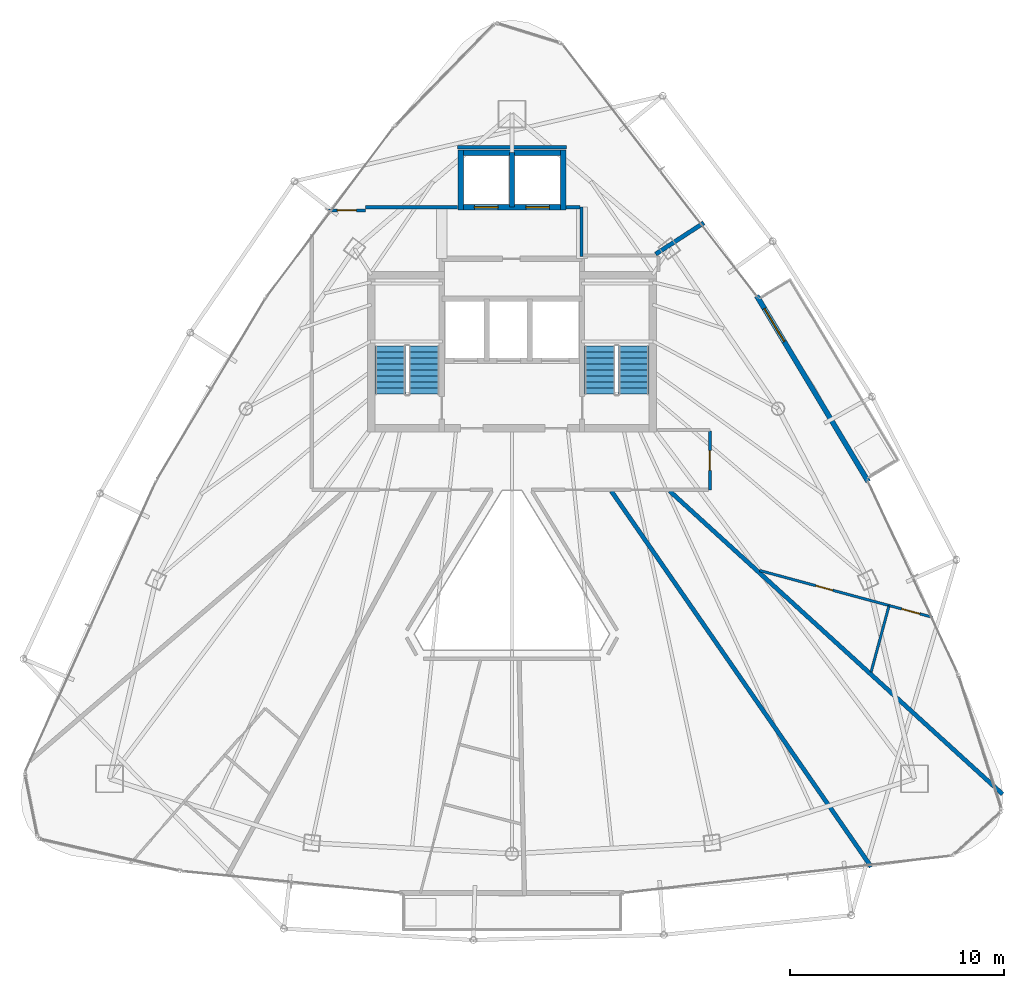
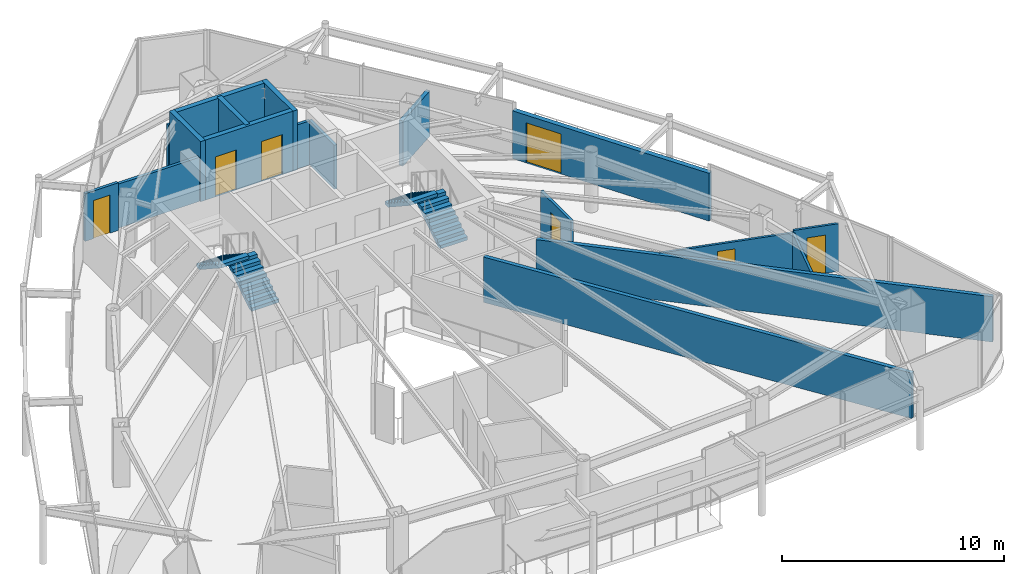
# One storey, part 27 of 30: 18 walls, 7 doors, 4 stair flights, 7 openings, 2 elements without a shape of their own.
"""IFC4 building model written with IfcOpenShell, lengths in metres."""

import ifcopenshell
import ifcopenshell.guid

model = None  # the IFC model being written
_history = None  # IfcOwnerHistory: only IFC2X3 demands one
_inside = {}  # id of a spatial element -> (the spatial element, [elements in it])
_under = {}  # id of a project, library or spatial element -> (it, [spatial elements below it])
_declared = {}  # id of a project -> (the project, [libraries it declares])
_typed = {}  # id of a type object -> (the type object, [elements of that type])
_made_of = {}  # id of a material, layer set ... -> (it, [elements and type objects made of it])


def new_model(schema):
    """Start an empty IFC model of exactly this schema.

    Asked for "IFC4X3", IfcOpenShell would pick the latest addendum, in which some entities
    have other attributes; the version numbers below select the first issue.
    IFC2X3 requires an IfcOwnerHistory on every rooted entity: one is made here for all.
    """
    global model, _history
    if schema == "IFC4X3":
        model = ifcopenshell.file(schema_version=(4, 3, 0, 0))
    else:
        model = ifcopenshell.file(schema=schema)
    _inside.clear()
    _under.clear()
    _declared.clear()
    _typed.clear()
    _made_of.clear()
    _history = None
    if model.schema == "IFC2X3":
        org = make("IfcOrganization", Name="unknown")
        user = make(
            "IfcPersonAndOrganization",
            ThePerson=make("IfcPerson", FamilyName="unknown"),
            TheOrganization=org,
        )
        app = make(
            "IfcApplication",
            ApplicationDeveloper=org,
            Version="unknown",
            ApplicationFullName="unknown",
            ApplicationIdentifier="unknown",
        )
        _history = make(
            "IfcOwnerHistory",
            OwningUser=user,
            OwningApplication=app,
            ChangeAction="ADDED",
            CreationDate=0,
        )
    return model


def make(cls, **values):
    """One entity of the class cls with the attributes given. An attribute that is None is left unset."""
    return model.create_entity(
        cls, **{name: value for name, value in values.items() if value is not None}
    )


def rooted(cls, **values):
    """An entity with a GlobalId (a new one), such as an element, a storey or a relation."""
    return make(cls, GlobalId=ifcopenshell.guid.new(), OwnerHistory=_history, **values)


def si_unit(unit_type, name, prefix=None):
    """IfcSIUnit, for example si_unit("LENGTHUNIT", "METRE", prefix="MILLI")."""
    return make("IfcSIUnit", UnitType=unit_type, Prefix=prefix, Name=name)


def assignment(units):
    """IfcUnitAssignment: the units of a project."""
    return None if units is None else make("IfcUnitAssignment", Units=units)


def point(xyz):
    """IfcCartesianPoint."""
    return None if xyz is None else make("IfcCartesianPoint", Coordinates=xyz)


def direction(xyz):
    """IfcDirection."""
    return None if xyz is None else make("IfcDirection", DirectionRatios=xyz)


def frame(location, z_axis=None, x_axis=None):
    """IfcAxis2Placement3D, a coordinate frame: its origin and axes. An axis left out is left unset."""
    return make(
        "IfcAxis2Placement3D",
        Location=point(location),
        Axis=direction(z_axis),
        RefDirection=direction(x_axis),
    )


def frame_2d(location, x_axis=None):
    """IfcAxis2Placement2D, a coordinate frame in the plane: its origin and x axis."""
    return make(
        "IfcAxis2Placement2D", Location=point(location), RefDirection=direction(x_axis)
    )


def origin():
    """The frame at (0, 0, 0) with its axes left unset."""
    return frame((0.0, 0.0, 0.0))


def place(relative_to, where):
    """IfcLocalPlacement: puts the frame where relative to a parent placement (None: the world)."""
    return make(
        "IfcLocalPlacement", PlacementRelTo=relative_to, RelativePlacement=where
    )


def context(
    kind, dimensions, precision=None, world=None, true_north=None, identifier=None
):
    """IfcGeometricRepresentationContext, for example the 3D "Model" context."""
    return make(
        "IfcGeometricRepresentationContext",
        ContextIdentifier=identifier,
        ContextType=kind,
        CoordinateSpaceDimension=dimensions,
        Precision=precision,
        WorldCoordinateSystem=world,
        TrueNorth=true_north,
    )


def subcontext(parent, identifier, kind, view, scale=None):
    """IfcGeometricRepresentationSubContext, for example "Body" below "Model"."""
    return make(
        "IfcGeometricRepresentationSubContext",
        ContextIdentifier=identifier,
        ContextType=kind,
        ParentContext=parent,
        TargetScale=scale,
        TargetView=view,
    )


def project(units=None, contexts=None):
    """IfcProject with its units and contexts."""
    return rooted(
        "IfcProject",
        Name="project",
        RepresentationContexts=contexts,
        UnitsInContext=assignment(units),
    )


def spatial(cls, under=None, at=None, **own):
    """A site, building, storey or space (cls), placed at a placement, below another one or the project."""
    s = rooted(cls, ObjectPlacement=at, **own)
    if under is not None:
        _under.setdefault(under.id(), (under, []))[1].append(s)
    return s


def polyline(points):
    """IfcPolyline through the points."""
    return make("IfcPolyline", Points=[point(p) for p in points])


def profile(cls, at=None, kind="AREA", **sizes):
    """A parametric profile (cls). Its sizes go by their IFC names, for example OverallWidth=200.0."""
    return make(cls, ProfileType=kind, Position=at, **sizes)


def rectangle(**sizes):
    """IfcRectangleProfileDef."""
    return profile("IfcRectangleProfileDef", **sizes)


def outline(outer, holes=None, kind="AREA"):
    """IfcArbitraryClosedProfileDef: a profile drawn as a closed curve; with holes, ...WithVoids."""
    if holes is None:
        return make("IfcArbitraryClosedProfileDef", ProfileType=kind, OuterCurve=outer)
    return make(
        "IfcArbitraryProfileDefWithVoids",
        ProfileType=kind,
        OuterCurve=outer,
        InnerCurves=holes,
    )


def extrude(swept, where, along, depth):
    """IfcExtrudedAreaSolid: the profile swept, set in the frame where, extruded along a direction by depth."""
    return make(
        "IfcExtrudedAreaSolid",
        SweptArea=swept,
        Position=where,
        ExtrudedDirection=direction(along),
        Depth=depth,
    )


def shape(context_of_items, identifier, shape_type, items):
    """IfcShapeRepresentation: the items that make up one representation, for example the "Body"."""
    return make(
        "IfcShapeRepresentation",
        ContextOfItems=context_of_items,
        RepresentationIdentifier=identifier,
        RepresentationType=shape_type,
        Items=items,
    )


def material(Name=None, Category=None):
    """IfcMaterial."""
    return make("IfcMaterial", Name=Name, Category=Category)


def layer(
    of_material, thickness, ventilated=None, Name=None, Category=None, Priority=None
):
    """IfcMaterialLayer: one layer of a wall or slab, of a material (None: an air gap)."""
    return make(
        "IfcMaterialLayer",
        Material=of_material,
        LayerThickness=thickness,
        IsVentilated=ventilated,
        Name=Name,
        Category=Category,
        Priority=Priority,
    )


def layer_set(layers, Name=None):
    """IfcMaterialLayerSet."""
    return make("IfcMaterialLayerSet", MaterialLayers=layers, LayerSetName=Name)


def made_of(thing, what):
    """Note that an element or type object is made of a material, layer set ...; save() writes the relation."""
    if what is not None:
        _made_of.setdefault(what.id(), (what, []))[1].append(thing)
    return thing


def type_object(cls, material=None, **own):
    """A type object (cls), such as IfcWallType, which elements share."""
    return made_of(rooted(cls, **own), material)


def element(
    cls,
    number,
    at=None,
    inside=None,
    cuts=None,
    type_object=None,
    material=None,
    context=None,
    identifier="Body",
    shape_type=None,
    held_by="IfcProductDefinitionShape",
    body=None,
    shapes=None,
    **own,
):
    """One element of the class cls, such as IfcWall. Its Tag is "e" and its number.

    at: its placement. inside: the storey or other place that contains it. cuts: it is an
    opening in that element (IfcRelVoidsElement). A single representation is given by context,
    identifier, shape_type and body (its items); several are given by shapes. held_by: the class
    of the entity that holds the representations. save() writes the other relations.
    """
    e = rooted(cls, Tag="e%d" % number, ObjectPlacement=at, **own)
    if body is not None:
        shapes = [shape(context, identifier, shape_type, body)]
    if shapes is not None:
        e.Representation = make(held_by, Representations=shapes)
    if inside is not None:
        _inside.setdefault(inside.id(), (inside, []))[1].append(e)
    if cuts is not None:
        rooted(
            "IfcRelVoidsElement", RelatingBuildingElement=cuts, RelatedOpeningElement=e
        )
    if type_object is not None:
        _typed.setdefault(type_object.id(), (type_object, []))[1].append(e)
    return made_of(e, material)


def fill(opening, filler):
    """IfcRelFillsElement: the door or window that sits in an opening."""
    return rooted(
        "IfcRelFillsElement",
        RelatingOpeningElement=opening,
        RelatedBuildingElement=filler,
    )


def aggregate(whole, parts):
    """IfcRelAggregates: a whole, such as a stair, and the parts it consists of."""
    return rooted("IfcRelAggregates", RelatingObject=whole, RelatedObjects=parts)


def save(model, path):
    """Write the relations noted so far, then the file.

    IfcRelAggregates (storeys below a building ...), IfcRelContainedInSpatialStructure (elements
    in a storey), IfcRelDefinesByType, IfcRelAssociatesMaterial and IfcRelDeclares: one each for
    every whole, place, type object, material and project.
    """
    for whole, parts in _under.values():
        aggregate(whole, parts)
    for where, things in _inside.values():
        rooted(
            "IfcRelContainedInSpatialStructure",
            RelatedElements=things,
            RelatingStructure=where,
        )
    for kind, things in _typed.values():
        rooted("IfcRelDefinesByType", RelatedObjects=things, RelatingType=kind)
    for what, things in _made_of.values():
        rooted("IfcRelAssociatesMaterial", RelatedObjects=things, RelatingMaterial=what)
    for by, libraries in _declared.values():
        rooted("IfcRelDeclares", RelatingContext=by, RelatedDefinitions=libraries)
    model.write(path)


model = new_model("IFC4")

# Units and contexts
model_context = context("Model", 3, precision=1e-05, world=origin(), true_north=direction((0.0, 1.0)))
body_context = subcontext(model_context, "Body", "Model", "MODEL_VIEW")
ifc_project = project(units=[si_unit("LENGTHUNIT", "METRE"), si_unit("AREAUNIT", "SQUARE_METRE"), si_unit("VOLUMEUNIT", "CUBIC_METRE"), si_unit("PLANEANGLEUNIT", "RADIAN"), si_unit("MASSUNIT", "GRAM", prefix="KILO")], contexts=[model_context])

# Site, building, storey
site_placement = place(None, origin())
site = spatial("IfcSite", under=ifc_project, at=site_placement, CompositionType="ELEMENT")
building_placement = place(site_placement, origin())
building = spatial("IfcBuilding", under=site, at=building_placement, Name="Orvanel Arch Residences", CompositionType="ELEMENT")
storey_placement = place(building_placement, frame((0.0, 0.0, 226.10009765625)))
storey = spatial("IfcBuildingStorey", under=building, at=storey_placement, Name="L64", CompositionType="ELEMENT", Elevation=226.10009765625)

# Wall, opening, door
ifc_material_1 = material(Name="Precast concrete N50 (50 MPa)", Category="concrete")
ifc_layer_1 = layer(ifc_material_1, 0.239990234375)
ifc_layer_set_1 = layer_set([ifc_layer_1], Name="Precast concrete N50 (50 MPa)")
wall_type_1 = type_object("IfcWallType", Name="EW-BAL-240", PredefinedType="SOLIDWALL", material=ifc_layer_set_1)
wall_1_placement = place(storey_placement, frame((49.64794921875, 24.22412109375, 0.0), z_axis=(0.0, 0.0, 1.0), x_axis=(-0.514346935205, 0.857582200285, 0.0)))
wall_1 = element("IfcWall", 1, at=wall_1_placement, inside=storey, type_object=wall_type_1, Name="L64 Balcony Threshold Wall Face 3", PredefinedType="SOLIDWALL", context=body_context, shape_type="SweptSolid", body=[
    extrude(rectangle(XDim=10.133056640625, YDim=0.239990234375, at=frame_2d((5.06640625, 0.0))), origin(), (0.0, 0.0, 1.0), 2.6240234375),
])
opening_1_placement = place(wall_1_placement, frame((7.635009765625, 0.0, 0.0)))
opening_1 = element("IfcOpeningElement", 2, at=opening_1_placement, cuts=wall_1, Name="Opening DB-180", PredefinedType="OPENING", context=body_context, shape_type="SweptSolid", body=[
    extrude(rectangle(XDim=1.800048828125, YDim=2.199951171875, at=frame_2d((0.89990234375, 1.10009765625))), frame((0.0, 0.1298828125, 0.0), z_axis=(0.0, -1.0, 0.0), x_axis=(1.0, 0.0, 0.0)), (0.0, 0.0, 1.0), 0.260009765625),
])
ifc_material_2 = material(Name="Bronze-anodised aluminium AA6063-T6", Category="aluminium")
door_type_1 = type_object("IfcDoorType", Name="DR-BAL-1800", OperationType="NOTDEFINED", PredefinedType="DOOR", material=ifc_material_2)
door_1_placement = place(opening_1_placement, origin())
door_1 = element("IfcDoor", 3, at=door_1_placement, inside=storey, type_object=door_type_1, Name="DR-L64-BAL-F3 L64 Planted Balcony Access Door Face 3", OperationType="SINGLE_SWING_LEFT", OverallHeight=2.199951171875, OverallWidth=1.800048828125, PredefinedType="DOOR", context=body_context, shape_type="SweptSolid", body=[
    extrude(rectangle(XDim=1.800048828125, YDim=2.199951171875, at=frame_2d((0.89990234375, 1.10009765625))), frame((0.0, 0.02490234375, 0.0), z_axis=(0.0, -1.0, 0.0), x_axis=(1.0, 0.0, 0.0)), (0.0, 0.0, 1.0), 0.050048828125),
])
fill(opening_1, door_1)

# Wall, openings, doors
ifc_material_3 = material(Name="Concrete N50 (50 MPa)", Category="concrete")
ifc_layer_2 = layer(ifc_material_3, 0.25)
ifc_layer_set_2 = layer_set([ifc_layer_2], Name="Concrete N50 (50 MPa)")
wall_type_2 = type_object("IfcWallType", Name="SW-CORE-250", PredefinedType="SHEAR", material=ifc_layer_set_2)
wall_2_placement = place(storey_placement, frame((35.52490234375, 37.050048828125, 0.0), z_axis=(0.0, 0.0, 1.0), x_axis=(-1.0, 0.0, 0.0)))
wall_2 = element("IfcWall", 4, at=wall_2_placement, inside=storey, type_object=wall_type_2, Name="L64 Passenger Lift Bank Front Shear Wall", PredefinedType="SHEAR", context=body_context, shape_type="SweptSolid", body=[
    extrude(rectangle(XDim=5.0498046875, YDim=0.25, at=frame_2d((2.52490234375, 0.0))), origin(), (0.0, 0.0, 1.0), 3.2998046875),
])
opening_2_placement = place(wall_2_placement, frame((3.175048828125, 0.0, 0.0)))
opening_2 = element("IfcOpeningElement", 5, at=opening_2_placement, cuts=wall_2, Name="Opening LD-110", PredefinedType="OPENING", context=body_context, shape_type="SweptSolid", body=[
    extrude(rectangle(XDim=1.10009765625, YDim=2.199951171875, at=frame_2d((0.550048828125, 1.10009765625))), frame((0.0, 0.135009765625, 0.0), z_axis=(0.0, -1.0, 0.0), x_axis=(1.0, 0.0, 0.0)), (0.0, 0.0, 1.0), 0.27001953125),
])
opening_3_placement = place(wall_2_placement, frame((0.77490234375, 0.0, 0.0)))
opening_3 = element("IfcOpeningElement", 6, at=opening_3_placement, cuts=wall_2, Name="Opening LD-110", PredefinedType="OPENING", context=body_context, shape_type="SweptSolid", body=[
    extrude(rectangle(XDim=1.10009765625, YDim=2.199951171875, at=frame_2d((0.550048828125, 1.10009765625))), frame((0.0, 0.135009765625, 0.0), z_axis=(0.0, -1.0, 0.0), x_axis=(1.0, 0.0, 0.0)), (0.0, 0.0, 1.0), 0.27001953125),
])
ifc_material_4 = material(Name="Galvanised steel fire-resisting door assembly", Category="steel")
door_type_2 = type_object("IfcDoorType", Name="DR-LFT-1100", OperationType="NOTDEFINED", PredefinedType="DOOR", material=ifc_material_4)
door_2_placement = place(opening_2_placement, origin())
door_2 = element("IfcDoor", 7, at=door_2_placement, inside=storey, type_object=door_type_2, Name="LD-P5-L64 L64 Passenger Lift P5 Sliding Landing Door", OperationType="DOUBLE_DOOR_SLIDING", OverallHeight=2.199951171875, OverallWidth=1.10009765625, PredefinedType="DOOR", context=body_context, shape_type="SweptSolid", body=[
    extrude(rectangle(XDim=1.10009765625, YDim=2.199951171875, at=frame_2d((0.550048828125, 1.10009765625))), frame((0.0, 0.02490234375, 0.0), z_axis=(0.0, -1.0, 0.0), x_axis=(1.0, 0.0, 0.0)), (0.0, 0.0, 1.0), 0.050048828125),
])
fill(opening_2, door_2)
door_3_placement = place(opening_3_placement, origin())
door_3 = element("IfcDoor", 8, at=door_3_placement, inside=storey, type_object=door_type_2, Name="LD-P6-L64 L64 Passenger Lift P6 Sliding Landing Door", OperationType="DOUBLE_DOOR_SLIDING", OverallHeight=2.199951171875, OverallWidth=1.10009765625, PredefinedType="DOOR", context=body_context, shape_type="SweptSolid", body=[
    extrude(rectangle(XDim=1.10009765625, YDim=2.199951171875, at=frame_2d((0.550048828125, 1.10009765625))), frame((0.0, 0.02490234375, 0.0), z_axis=(0.0, -1.0, 0.0), x_axis=(1.0, 0.0, 0.0)), (0.0, 0.0, 1.0), 0.050048828125),
])
fill(opening_3, door_3)

# Walls
wall_3_placement = place(storey_placement, frame((30.47509765625, 39.60009765625, 0.0), z_axis=(0.0, 0.0, 1.0), x_axis=(1.0, 0.0, 0.0)))
element("IfcWall", 9, at=wall_3_placement, inside=storey, type_object=wall_type_2, Name="L64 Passenger Lift Bank North Shear Wall", PredefinedType="SHEAR", context=body_context, shape_type="SweptSolid", body=[
    extrude(rectangle(XDim=5.0498046875, YDim=0.25, at=frame_2d((2.52490234375, 0.0))), origin(), (0.0, 0.0, 1.0), 3.2998046875),
])
for number, where, z_axis, x_axis, name in (
    (10, (30.60009765625, 36.925048828125, 0.0), (0.0, 0.0, 1.0), (0.0, 1.0, 0.0), "L64 Passenger Lift Bank West Shear Wall"),
    (11, (35.39990234375, 36.925048828125, 0.0), (0.0, 0.0, 1.0), (0.0, 1.0, 0.0), "L64 Passenger Lift Bank East Shear Wall"),
):
    element("IfcWall", number, at=place(storey_placement, frame(where, z_axis=z_axis, x_axis=x_axis)), inside=storey, type_object=wall_type_2, Name=name, PredefinedType="SHEAR", context=body_context, shape_type="SweptSolid", body=[
        extrude(rectangle(XDim=2.800048828125, YDim=0.25, at=frame_2d((1.39990234375, 0.0))), origin(), (0.0, 0.0, 1.0), 3.2998046875),
    ])
wall_4_placement = place(storey_placement, frame((33.0, 37.050048828125, 0.0), z_axis=(0.0, 0.0, 1.0), x_axis=(0.0, 1.0, 0.0)))
element("IfcWall", 12, at=wall_4_placement, inside=storey, type_object=wall_type_2, Name="L64 Passenger Lift Inter-Shaft Wall P56", PredefinedType="SHEAR", context=body_context, shape_type="SweptSolid", body=[
    extrude(rectangle(XDim=2.550048828125, YDim=0.25, at=frame_2d((1.27490234375, 0.0))), origin(), (0.0, 0.0, 1.0), 3.2998046875),
])
ifc_material_5 = material(Name="Fire-rated plasterboard lined steel stud partition", Category="steel")
ifc_layer_3 = layer(ifc_material_5, 0.14990234375)
ifc_layer_set_3 = layer_set([ifc_layer_3], Name="Fire-rated plasterboard lined steel stud partition")
wall_type_3 = type_object("IfcWallType", Name="W-COR-150", PredefinedType="PARTITIONING", material=ifc_layer_set_3)
wall_5_placement = place(storey_placement, frame((36.25, 34.760009765625, 0.0), z_axis=(0.0, 0.0, 1.0), x_axis=(0.0, 1.0, 0.0)))
element("IfcWall", 13, at=wall_5_placement, inside=storey, type_object=wall_type_3, Name="L64 Passenger Lift Lobby East Closure Wall", PredefinedType="PARTITIONING", context=body_context, shape_type="SweptSolid", body=[
    extrude(rectangle(XDim=2.2900390625, YDim=0.14990234375, at=frame_2d((1.14501953125, 0.0))), origin(), (0.0, 0.0, 1.0), 2.4248046875),
])
wall_6_placement = place(storey_placement, frame((35.52490234375, 37.050048828125, 0.0), z_axis=(0.0, 0.0, 1.0), x_axis=(1.0, 0.0, 0.0)))
element("IfcWall", 14, at=wall_6_placement, inside=storey, type_object=wall_type_3, Name="L64 Passenger Lift Lobby North-East Wall", PredefinedType="PARTITIONING", context=body_context, shape_type="SweptSolid", body=[
    extrude(rectangle(XDim=0.6650390625, YDim=0.14990234375, at=frame_2d((0.33251953125, 0.0))), origin(), (0.0, 0.0, 1.0), 2.4248046875),
])

# Wall, opening, door
wall_7_placement = place(storey_placement, frame((24.427001953125, 36.89990234375, 0.0), z_axis=(0.0, 0.0, 1.0), x_axis=(1.0, 0.0, 0.0)))
wall_7 = element("IfcWall", 15, at=wall_7_placement, inside=storey, type_object=wall_type_3, Name="L64 Corridor Fire-Rated Partition", PredefinedType="PARTITIONING", context=body_context, shape_type="SweptSolid", body=[
    extrude(rectangle(XDim=1.722900390625, YDim=0.14990234375, at=frame_2d((0.861328125, 0.0))), origin(), (0.0, 0.0, 1.0), 2.618896484375),
])
opening_4_placement = place(wall_7_placement, frame((0.4208984375, 0.0, 0.0)))
opening_4 = element("IfcOpeningElement", 16, at=opening_4_placement, cuts=wall_7, Name="Opening DI-088", PredefinedType="OPENING", context=body_context, shape_type="SweptSolid", body=[
    extrude(rectangle(XDim=0.8798828125, YDim=2.10009765625, at=frame_2d((0.43994140625, 1.050048828125))), frame((0.0, 0.0849609375, 0.0), z_axis=(0.0, -1.0, 0.0), x_axis=(1.0, 0.0, 0.0)), (0.0, 0.0, 1.0), 0.169921875),
])
ifc_material_6 = material(Name="Solid-core European oak veneer fire door leaf", Category="wood")
door_type_3 = type_object("IfcDoorType", Name="DR-INT-880", OperationType="NOTDEFINED", PredefinedType="DOOR", material=ifc_material_6)
door_4_placement = place(opening_4_placement, origin())
door_4 = element("IfcDoor", 17, at=door_4_placement, inside=storey, type_object=door_type_3, Name="DR-L64-SHRD-FB7 L64 Co-Working Study Office G Door", OperationType="SINGLE_SWING_LEFT", OverallHeight=2.10009765625, OverallWidth=0.8798828125, PredefinedType="DOOR", context=body_context, shape_type="SweptSolid", body=[
    extrude(rectangle(XDim=0.8798828125, YDim=2.10009765625, at=frame_2d((0.43994140625, 1.050048828125))), frame((0.0, 0.02490234375, 0.0), z_axis=(0.0, -1.0, 0.0), x_axis=(1.0, 0.0, 0.0)), (0.0, 0.0, 1.0), 0.050048828125),
])
fill(opening_4, door_4)

wall_8_placement = place(storey_placement, frame((42.25, 26.590087890625, 0.0), z_axis=(0.0, 0.0, 1.0), x_axis=(0.0, -1.0, 0.0)))
wall_8 = element("IfcWall", 18, at=wall_8_placement, inside=storey, type_object=wall_type_3, Name="L64 Corridor Fire-Rated Partition", PredefinedType="PARTITIONING", context=body_context, shape_type="SweptSolid", body=[
    extrude(rectangle(XDim=2.739990234375, YDim=0.14990234375, at=frame_2d((1.3701171875, 0.0))), origin(), (0.0, 0.0, 1.0), 2.77294921875),
])
opening_5_placement = place(wall_8_placement, frame((0.909912109375, 0.0, 0.0)))
opening_5 = element("IfcOpeningElement", 19, at=opening_5_placement, cuts=wall_8, Name="Opening DA-092", PredefinedType="OPENING", context=body_context, shape_type="SweptSolid", body=[
    extrude(rectangle(XDim=0.919921875, YDim=2.14990234375, at=frame_2d((0.4599609375, 1.074951171875))), frame((0.0, 0.0849609375, 0.0), z_axis=(0.0, -1.0, 0.0), x_axis=(1.0, 0.0, 0.0)), (0.0, 0.0, 1.0), 0.169921875),
])
door_type_4 = type_object("IfcDoorType", Name="DR-APT-920", OperationType="NOTDEFINED", PredefinedType="DOOR", material=ifc_material_6)
door_5_placement = place(opening_5_placement, origin())
door_5 = element("IfcDoor", 20, at=door_5_placement, inside=storey, type_object=door_type_4, Name="DR-L64-C-ENT L64 Studio C Entrance Door", OperationType="SINGLE_SWING_RIGHT", OverallHeight=2.14990234375, OverallWidth=0.919921875, PredefinedType="DOOR", context=body_context, shape_type="SweptSolid", body=[
    extrude(rectangle(XDim=0.919921875, YDim=2.14990234375, at=frame_2d((0.4599609375, 1.074951171875))), frame((0.0, 0.02490234375, 0.0), z_axis=(0.0, -1.0, 0.0), x_axis=(1.0, 0.0, 0.0)), (0.0, 0.0, 1.0), 0.050048828125),
])
fill(opening_5, door_5)

# Walls
wall_9_placement = place(storey_placement, frame((26.14990234375, 37.050048828125, 0.0), z_axis=(0.0, 0.0, 1.0), x_axis=(1.0, 0.0, 0.0)))
element("IfcWall", 21, at=wall_9_placement, inside=storey, type_object=wall_type_3, Name="L64 Core Perimeter Partition", PredefinedType="PARTITIONING", context=body_context, shape_type="SweptSolid", body=[
    extrude(rectangle(XDim=4.300048828125, YDim=0.14990234375, at=frame_2d((2.14990234375, 0.0))), origin(), (0.0, 0.0, 1.0), 2.4248046875),
])
wall_10_placement = place(storey_placement, frame((30.449951171875, 39.85009765625, 0.0), z_axis=(0.0, 0.0, 1.0), x_axis=(1.0, 0.0, 0.0)))
element("IfcWall", 22, at=wall_10_placement, inside=storey, type_object=wall_type_3, Name="L64 Core Perimeter Partition", PredefinedType="PARTITIONING", context=body_context, shape_type="SweptSolid", body=[
    extrude(rectangle(XDim=5.10009765625, YDim=0.14990234375, at=frame_2d((2.550048828125, 0.0))), origin(), (0.0, 0.0, 1.0), 2.491943359375),
])
ifc_layer_4 = layer(ifc_material_5, 0.199951171875)
ifc_layer_set_4 = layer_set([ifc_layer_4], Name="Fire-rated plasterboard lined steel stud partition")
wall_type_4 = type_object("IfcWallType", Name="W-DEM-200", PredefinedType="PARTITIONING", material=ifc_layer_set_4)
wall_11_placement = place(storey_placement, frame((37.64111328125, 23.7900390625, 0.0), z_axis=(0.0, 0.0, 1.0), x_axis=(0.568876812748, -0.822422745258, 0.0)))
element("IfcWall", 23, at=wall_11_placement, inside=storey, type_object=wall_type_4, Name="L64 Inter-Tenancy Acoustic Demising Wall", PredefinedType="PARTITIONING", context=body_context, shape_type="SweptSolid", body=[
    extrude(rectangle(XDim=21.341796875, YDim=0.199951171875, at=frame_2d((10.6708984375, 0.0))), origin(), (0.0, 0.0, 1.0), 2.491943359375),
])
wall_12_placement = place(storey_placement, frame((55.9189453125, 9.631103515625, 0.0), z_axis=(0.0, 0.0, 1.0), x_axis=(-0.739406671307, 0.673259069324, 0.0)))
element("IfcWall", 24, at=wall_12_placement, inside=storey, type_object=wall_type_4, Name="L64 Inter-Tenancy Acoustic Demising Wall", PredefinedType="PARTITIONING", context=body_context, shape_type="SweptSolid", body=[
    extrude(rectangle(XDim=21.030517578125, YDim=0.199951171875, at=frame_2d((10.51513671875, 0.0))), origin(), (0.0, 0.0, 1.0), 2.491943359375),
])
wall_13_placement = place(storey_placement, frame((39.714111328125, 34.860107421875, 0.0), z_axis=(0.0, 0.0, 1.0), x_axis=(0.838740992226, 0.54453057578, 0.0)))
element("IfcWall", 25, at=wall_13_placement, inside=storey, type_object=wall_type_4, Name="L64 Inter-Tenancy Acoustic Demising Wall", PredefinedType="PARTITIONING", context=body_context, shape_type="SweptSolid", body=[
    extrude(rectangle(XDim=2.68115234375, YDim=0.199951171875, at=frame_2d((1.340576171875, 0.0))), origin(), (0.0, 0.0, 1.0), 2.491943359375),
])

# Wall, opening, door
ifc_material_7 = material(Name="Acoustic plasterboard lined twin-stud partition", Category="gypsum")
ifc_layer_5 = layer(ifc_material_7, 0.1201171875)
ifc_layer_set_5 = layer_set([ifc_layer_5], Name="Acoustic plasterboard lined twin-stud partition")
wall_type_5 = type_object("IfcWallType", Name="W-WET-120", PredefinedType="PARTITIONING", material=ifc_layer_set_5)
wall_14_placement = place(storey_placement, frame((50.617919921875, 18.444091796875, 0.0), z_axis=(0.0, 0.0, 1.0), x_axis=(-0.96530580675, 0.261122001091, 0.0)))
wall_14 = element("IfcWall", 26, at=wall_14_placement, inside=storey, type_object=wall_type_5, Name="L64 Studio C Bathroom Partition", PredefinedType="PARTITIONING", context=body_context, shape_type="SweptSolid", body=[
    extrude(rectangle(XDim=6.26513671875, YDim=0.1201171875, at=frame_2d((3.132568359375, 0.0))), origin(), (0.0, 0.0, 1.0), 2.491943359375),
])
opening_6_placement = place(wall_14_placement, frame((2.722900390625, 0.0, 0.0)))
opening_6 = element("IfcOpeningElement", 27, at=opening_6_placement, cuts=wall_14, Name="Opening DW-082", PredefinedType="OPENING", context=body_context, shape_type="SweptSolid", body=[
    extrude(rectangle(XDim=0.820068359375, YDim=2.10009765625, at=frame_2d((0.41015625, 1.050048828125))), frame((0.0, 0.070068359375, 0.0), z_axis=(0.0, -1.0, 0.0), x_axis=(1.0, 0.0, 0.0)), (0.0, 0.0, 1.0), 0.14013671875),
])
door_type_5 = type_object("IfcDoorType", Name="DR-WET-820", OperationType="NOTDEFINED", PredefinedType="DOOR", material=ifc_material_6)
door_6_placement = place(opening_6_placement, origin())
door_6 = element("IfcDoor", 28, at=door_6_placement, inside=storey, type_object=door_type_5, Name="DR-L64-C-BATH L64 Studio C Bathroom Door", OperationType="SINGLE_SWING_RIGHT", OverallHeight=2.10009765625, OverallWidth=0.820068359375, PredefinedType="DOOR", context=body_context, shape_type="SweptSolid", body=[
    extrude(rectangle(XDim=0.820068359375, YDim=2.10009765625, at=frame_2d((0.41015625, 1.050048828125))), frame((0.0, 0.02490234375, 0.0), z_axis=(0.0, -1.0, 0.0), x_axis=(1.0, 0.0, 0.0)), (0.0, 0.0, 1.0), 0.050048828125),
])
fill(opening_6, door_6)

wall_15_placement = place(storey_placement, frame((52.65087890625, 17.89501953125, 0.0), z_axis=(0.0, 0.0, 1.0), x_axis=(-0.96540836449, 0.260742573765, 0.0)))
wall_15 = element("IfcWall", 29, at=wall_15_placement, inside=storey, type_object=wall_type_5, Name="L64 Studio C Internal Partition", PredefinedType="PARTITIONING", context=body_context, shape_type="SweptSolid", body=[
    extrude(rectangle(XDim=2.105712890625, YDim=0.1201171875, at=frame_2d((1.052734375, 0.0))), origin(), (0.0, 0.0, 1.0), 2.618896484375),
])
opening_7_placement = place(wall_15_placement, frame((0.613037109375, 0.0, 0.0)))
opening_7 = element("IfcOpeningElement", 30, at=opening_7_placement, cuts=wall_15, Name="Opening DI-088", PredefinedType="OPENING", context=body_context, shape_type="SweptSolid", body=[
    extrude(rectangle(XDim=0.8798828125, YDim=2.10009765625, at=frame_2d((0.43994140625, 1.050048828125))), frame((0.0, 0.070068359375, 0.0), z_axis=(0.0, -1.0, 0.0), x_axis=(1.0, 0.0, 0.0)), (0.0, 0.0, 1.0), 0.14013671875),
])
door_7_placement = place(opening_7_placement, origin())
door_7 = element("IfcDoor", 31, at=door_7_placement, inside=storey, type_object=door_type_3, Name="DR-L64-C-KIT L64 Studio C Kitchenette Door", OperationType="SINGLE_SWING_LEFT", OverallHeight=2.10009765625, OverallWidth=0.8798828125, PredefinedType="DOOR", context=body_context, shape_type="SweptSolid", body=[
    extrude(rectangle(XDim=0.8798828125, YDim=2.10009765625, at=frame_2d((0.43994140625, 1.050048828125))), frame((0.0, 0.02490234375, 0.0), z_axis=(0.0, -1.0, 0.0), x_axis=(1.0, 0.0, 0.0)), (0.0, 0.0, 1.0), 0.050048828125),
])
fill(opening_7, door_7)

# Wall
wall_16_placement = place(storey_placement, frame((50.617919921875, 18.444091796875, 0.0), z_axis=(0.0, 0.0, 1.0), x_axis=(-0.260928129887, -0.965358229381, 0.0)))
element("IfcWall", 32, at=wall_16_placement, inside=storey, type_object=wall_type_5, Name="L64 Studio C Bathroom Partition", PredefinedType="PARTITIONING", context=body_context, shape_type="SweptSolid", body=[
    extrude(rectangle(XDim=3.21875, YDim=0.1201171875, at=frame_2d((1.609375, 0.0))), origin(), (0.0, 0.0, 1.0), 2.491943359375),
])

# Stair, stair flights
stair_type = type_object("IfcStairType", Name="STR-DOG-184", PredefinedType="USERDEFINED", material=ifc_material_1)
stair_1_placement = place(storey_placement, origin())
stair_1 = element("IfcStair", 33, at=stair_1_placement, inside=storey, type_object=stair_type, Name="L64 Fire-Isolated Core Exit Stair 1", ObjectType="TWO_RETURN_STAIR", PredefinedType="USERDEFINED")
stair_flight_type_1 = type_object("IfcStairFlightType", Name="SFL-C1-184", PredefinedType="STRAIGHT", material=ifc_material_1)
stair_flight_1_placement = place(storey_placement, frame((28.889892578125, 28.320068359375, 0.0), z_axis=(0.0, 0.0, 1.0), x_axis=(0.0, 1.0, 0.0)))
stair_flight_1 = element("IfcStairFlight", 34, at=stair_flight_1_placement, type_object=stair_flight_type_1, Name="ST-1 flight 1", NumberOfRisers=9, NumberOfTreads=8, PredefinedType="STRAIGHT", RiserHeight=0.183333333, TreadLength=0.28, context=body_context, shape_type="SweptSolid", body=[
    extrude(outline(polyline([(0.0, 0.0), (0.0, 0.183349609375), (0.280029296875, 0.183349609375), (0.280029296875, 0.36669921875), (0.56005859375, 0.36669921875), (0.56005859375, 0.550048828125), (0.840087890625, 0.550048828125), (0.840087890625, 0.7333984375), (1.1201171875, 0.7333984375), (1.1201171875, 0.916748046875), (1.39990234375, 0.916748046875), (1.39990234375, 1.10009765625), (1.679931640625, 1.10009765625), (1.679931640625, 1.283447265625), (1.9599609375, 1.283447265625), (1.9599609375, 1.466552734375), (2.239990234375, 1.466552734375), (2.239990234375, 1.64990234375), (2.239990234375, 1.28759765625), (0.273681640625, 0.0), (0.0, 0.0)])), frame((0.0, 0.7099609375, 0.0), z_axis=(0.0, -1.0, 0.0), x_axis=(1.0, 0.0, 0.0)), (0.0, 0.0, 1.0), 1.419921875),
])
stair_flight_2_placement = place(storey_placement, frame((27.31005859375, 30.56005859375, 1.64990234375), z_axis=(0.0, 0.0, 1.0), x_axis=(0.0, -1.0, 0.0)))
stair_flight_2 = element("IfcStairFlight", 35, at=stair_flight_2_placement, type_object=stair_flight_type_1, Name="ST-1 flight 2", NumberOfRisers=9, NumberOfTreads=8, PredefinedType="STRAIGHT", RiserHeight=0.183333333, TreadLength=0.28, context=body_context, shape_type="SweptSolid", body=[
    extrude(outline(polyline([(0.0, 0.0), (0.0, 0.183349609375), (0.280029296875, 0.183349609375), (0.280029296875, 0.36669921875), (0.56005859375, 0.36669921875), (0.56005859375, 0.550048828125), (0.840087890625, 0.550048828125), (0.840087890625, 0.7333984375), (1.1201171875, 0.7333984375), (1.1201171875, 0.916748046875), (1.39990234375, 0.916748046875), (1.39990234375, 1.10009765625), (1.679931640625, 1.10009765625), (1.679931640625, 1.283447265625), (1.9599609375, 1.283447265625), (1.9599609375, 1.466552734375), (2.239990234375, 1.466552734375), (2.239990234375, 1.64990234375), (2.239990234375, 1.28759765625), (0.273681640625, 0.0), (0.0, 0.0)])), frame((0.0, 0.7099609375, 0.0), z_axis=(0.0, -1.0, 0.0), x_axis=(1.0, 0.0, 0.0)), (0.0, 0.0, 1.0), 1.419921875),
])
aggregate(stair_1, [stair_flight_1, stair_flight_2])

stair_2_placement = place(storey_placement, origin())
stair_2 = element("IfcStair", 36, at=stair_2_placement, inside=storey, type_object=stair_type, Name="L64 Fire-Isolated Core Exit Stair 2", ObjectType="TWO_RETURN_STAIR", PredefinedType="USERDEFINED")
stair_flight_type_2 = type_object("IfcStairFlightType", Name="SFL-C2-184", PredefinedType="STRAIGHT", material=ifc_material_1)
stair_flight_3_placement = place(storey_placement, frame((38.68994140625, 28.320068359375, 0.0), z_axis=(0.0, 0.0, 1.0), x_axis=(0.0, 1.0, 0.0)))
stair_flight_3 = element("IfcStairFlight", 37, at=stair_flight_3_placement, type_object=stair_flight_type_2, Name="ST-2 flight 1", NumberOfRisers=9, NumberOfTreads=8, PredefinedType="STRAIGHT", RiserHeight=0.183333333, TreadLength=0.28, context=body_context, shape_type="SweptSolid", body=[
    extrude(outline(polyline([(0.0, 0.0), (0.0, 0.183349609375), (0.280029296875, 0.183349609375), (0.280029296875, 0.36669921875), (0.56005859375, 0.36669921875), (0.56005859375, 0.550048828125), (0.840087890625, 0.550048828125), (0.840087890625, 0.7333984375), (1.1201171875, 0.7333984375), (1.1201171875, 0.916748046875), (1.39990234375, 0.916748046875), (1.39990234375, 1.10009765625), (1.679931640625, 1.10009765625), (1.679931640625, 1.283447265625), (1.9599609375, 1.283447265625), (1.9599609375, 1.466552734375), (2.239990234375, 1.466552734375), (2.239990234375, 1.64990234375), (2.239990234375, 1.28759765625), (0.273681640625, 0.0), (0.0, 0.0)])), frame((0.0, 0.7099609375, 0.0), z_axis=(0.0, -1.0, 0.0), x_axis=(1.0, 0.0, 0.0)), (0.0, 0.0, 1.0), 1.419921875),
])
stair_flight_4_placement = place(storey_placement, frame((37.110107421875, 30.56005859375, 1.64990234375), z_axis=(0.0, 0.0, 1.0), x_axis=(0.0, -1.0, 0.0)))
stair_flight_4 = element("IfcStairFlight", 38, at=stair_flight_4_placement, type_object=stair_flight_type_2, Name="ST-2 flight 2", NumberOfRisers=9, NumberOfTreads=8, PredefinedType="STRAIGHT", RiserHeight=0.183333333, TreadLength=0.28, context=body_context, shape_type="SweptSolid", body=[
    extrude(outline(polyline([(0.0, 0.0), (0.0, 0.183349609375), (0.280029296875, 0.183349609375), (0.280029296875, 0.36669921875), (0.56005859375, 0.36669921875), (0.56005859375, 0.550048828125), (0.840087890625, 0.550048828125), (0.840087890625, 0.7333984375), (1.1201171875, 0.7333984375), (1.1201171875, 0.916748046875), (1.39990234375, 0.916748046875), (1.39990234375, 1.10009765625), (1.679931640625, 1.10009765625), (1.679931640625, 1.283447265625), (1.9599609375, 1.283447265625), (1.9599609375, 1.466552734375), (2.239990234375, 1.466552734375), (2.239990234375, 1.64990234375), (2.239990234375, 1.28759765625), (0.273681640625, 0.0), (0.0, 0.0)])), frame((0.0, 0.7099609375, 0.0), z_axis=(0.0, -1.0, 0.0), x_axis=(1.0, 0.0, 0.0)), (0.0, 0.0, 1.0), 1.419921875),
])
aggregate(stair_2, [stair_flight_3, stair_flight_4])

save(model, "model.ifc")
